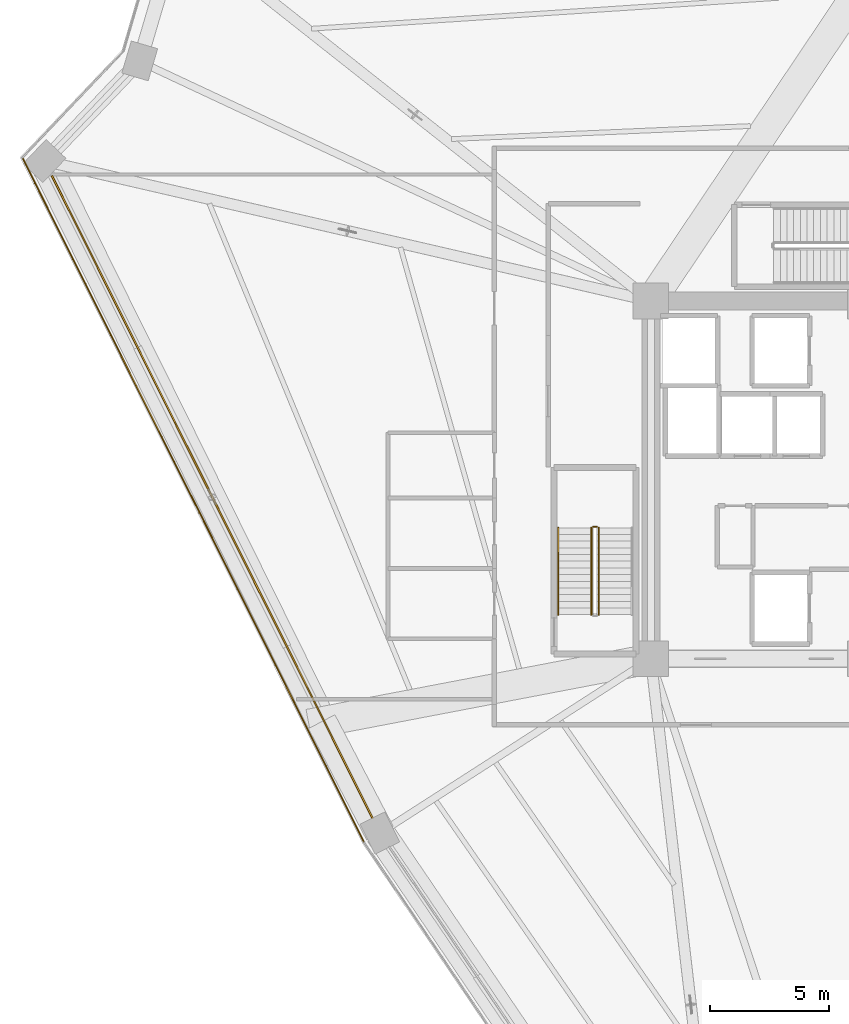
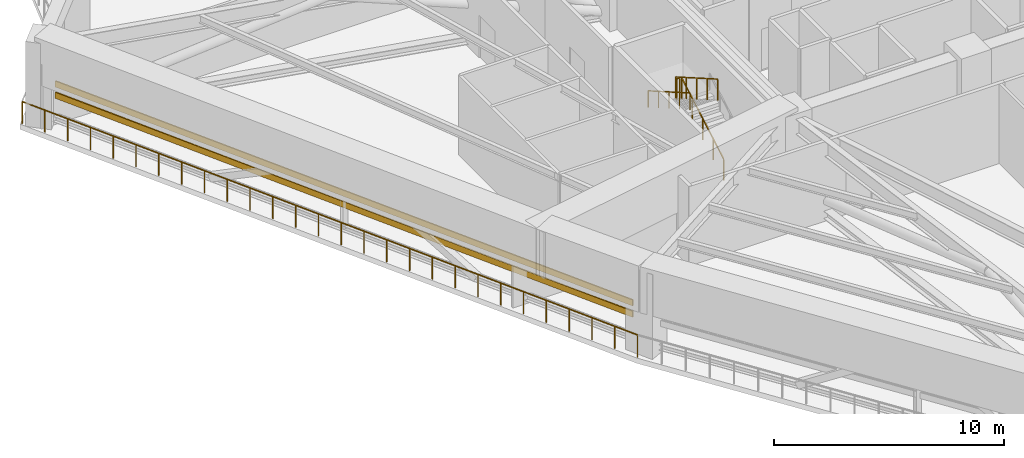
# One storey, part 23 of 27: 5 railings, 2 shading devices.
"""IFC4 building model written with IfcOpenShell, lengths in metres."""

from ifc_helpers import new_model, si_unit, direction, frame, origin, origin_2d, place, context, subcontext, project, spatial, rectangle, extrude, source, transform, mapped, material, material_profile, profile_set, type_object, element, save


model = new_model("IFC4")

# Units and contexts
model_context = context("Model", 3, precision=1e-05, world=origin(), true_north=direction((0.0, 1.0)))
body_context = subcontext(model_context, "Body", "Model", "MODEL_VIEW")
ifc_project = project(units=[si_unit("LENGTHUNIT", "METRE"), si_unit("AREAUNIT", "SQUARE_METRE"), si_unit("VOLUMEUNIT", "CUBIC_METRE"), si_unit("PLANEANGLEUNIT", "RADIAN"), si_unit("MASSUNIT", "GRAM", prefix="KILO")], contexts=[model_context])

# Site, building, storey
site_placement = place(None, origin())
site = spatial("IfcSite", under=ifc_project, at=site_placement, CompositionType="ELEMENT")
building_placement = place(site_placement, origin())
building = spatial("IfcBuilding", under=site, at=building_placement, Name="Liaohun Quay Tower", CompositionType="ELEMENT")
storey_placement = place(building_placement, frame((0.0, 0.0, 185.25)))
storey = spatial("IfcBuildingStorey", under=building, at=storey_placement, Name="L48", CompositionType="ELEMENT", Elevation=185.25)

# Railings
ifc_material_1 = material(Name="Galvanised and powder-coated steel", Category="steel")
railing_type_1 = type_object("IfcRailingType", Name="RLG-GUARD-EXT", PredefinedType="GUARDRAIL", material=ifc_material_1)
railing_1_placement = place(storey_placement, frame((38.97607421875, 38.803955078125, 0.0)))
element("IfcRailing", 1, at=railing_1_placement, inside=storey, type_object=railing_type_1, Name="L48 Open Refuge Band Perimeter Guardrail 02", PredefinedType="GUARDRAIL", context=body_context, shape_type="SweptSolid", body=[
    extrude(rectangle(XDim=0.048095703125, YDim=0.048095703125, at=origin_2d()), frame((0.0, 0.0, 1.17578125), z_axis=(-0.446543806641, 0.894761772066, 0.0), x_axis=(-0.894761772066, -0.446543806641, 0.0)), (0.0, 0.0, 1.0), 32.082275390625),
    extrude(rectangle(XDim=0.0419921875, YDim=0.0419921875, at=origin_2d()), origin(), (0.0, 0.0, 1.0), 1.15185546875),
    extrude(rectangle(XDim=0.0419921875, YDim=0.0419921875, at=origin_2d()), frame((-0.530517578125, 1.063232421875, 0.0)), (0.0, 0.0, 1.0), 1.15185546875),
    extrude(rectangle(XDim=0.0419921875, YDim=0.0419921875, at=origin_2d()), frame((-1.061279296875, 2.12646484375, 0.0)), (0.0, 0.0, 1.0), 1.15185546875),
    extrude(rectangle(XDim=0.0419921875, YDim=0.0419921875, at=origin_2d()), frame((-1.591796875, 3.189453125, 0.0)), (0.0, 0.0, 1.0), 1.15185546875),
    extrude(rectangle(XDim=0.0419921875, YDim=0.0419921875, at=origin_2d()), frame((-2.122314453125, 4.252685546875, 0.0)), (0.0, 0.0, 1.0), 1.15185546875),
    extrude(rectangle(XDim=0.0419921875, YDim=0.0419921875, at=origin_2d()), frame((-2.653076171875, 5.31591796875, 0.0)), (0.0, 0.0, 1.0), 1.15185546875),
    extrude(rectangle(XDim=0.0419921875, YDim=0.0419921875, at=origin_2d()), frame((-3.18359375, 6.379150390625, 0.0)), (0.0, 0.0, 1.0), 1.15185546875),
    extrude(rectangle(XDim=0.0419921875, YDim=0.0419921875, at=origin_2d()), frame((-3.714111328125, 7.4423828125, 0.0)), (0.0, 0.0, 1.0), 1.15185546875),
    extrude(rectangle(XDim=0.0419921875, YDim=0.0419921875, at=origin_2d()), frame((-4.244873046875, 8.505615234375, 0.0)), (0.0, 0.0, 1.0), 1.15185546875),
    extrude(rectangle(XDim=0.0419921875, YDim=0.0419921875, at=origin_2d()), frame((-4.775390625, 9.568603515625, 0.0)), (0.0, 0.0, 1.0), 1.15185546875),
    extrude(rectangle(XDim=0.0419921875, YDim=0.0419921875, at=origin_2d()), frame((-5.305908203125, 10.6318359375, 0.0)), (0.0, 0.0, 1.0), 1.15185546875),
    extrude(rectangle(XDim=0.0419921875, YDim=0.0419921875, at=origin_2d()), frame((-5.836669921875, 11.695068359375, 0.0)), (0.0, 0.0, 1.0), 1.15185546875),
    extrude(rectangle(XDim=0.0419921875, YDim=0.0419921875, at=origin_2d()), frame((-6.3671875, 12.75830078125, 0.0)), (0.0, 0.0, 1.0), 1.15185546875),
    extrude(rectangle(XDim=0.0419921875, YDim=0.0419921875, at=origin_2d()), frame((-6.897705078125, 13.821533203125, 0.0)), (0.0, 0.0, 1.0), 1.15185546875),
    extrude(rectangle(XDim=0.0419921875, YDim=0.0419921875, at=origin_2d()), frame((-7.428466796875, 14.884521484375, 0.0)), (0.0, 0.0, 1.0), 1.15185546875),
    extrude(rectangle(XDim=0.0419921875, YDim=0.0419921875, at=origin_2d()), frame((-7.958984375, 15.94775390625, 0.0)), (0.0, 0.0, 1.0), 1.15185546875),
    extrude(rectangle(XDim=0.0419921875, YDim=0.0419921875, at=origin_2d()), frame((-8.489501953125, 17.010986328125, 0.0)), (0.0, 0.0, 1.0), 1.15185546875),
    extrude(rectangle(XDim=0.0419921875, YDim=0.0419921875, at=origin_2d()), frame((-9.020263671875, 18.07421875, 0.0)), (0.0, 0.0, 1.0), 1.15185546875),
    extrude(rectangle(XDim=0.0419921875, YDim=0.0419921875, at=origin_2d()), frame((-9.55078125, 19.137451171875, 0.0)), (0.0, 0.0, 1.0), 1.15185546875),
    extrude(rectangle(XDim=0.0419921875, YDim=0.0419921875, at=origin_2d()), frame((-10.081298828125, 20.200439453125, 0.0)), (0.0, 0.0, 1.0), 1.15185546875),
    extrude(rectangle(XDim=0.0419921875, YDim=0.0419921875, at=origin_2d()), frame((-10.612060546875, 21.263671875, 0.0)), (0.0, 0.0, 1.0), 1.15185546875),
    extrude(rectangle(XDim=0.0419921875, YDim=0.0419921875, at=origin_2d()), frame((-11.142578125, 22.326904296875, 0.0)), (0.0, 0.0, 1.0), 1.15185546875),
    extrude(rectangle(XDim=0.0419921875, YDim=0.0419921875, at=origin_2d()), frame((-11.673095703125, 23.39013671875, 0.0)), (0.0, 0.0, 1.0), 1.15185546875),
    extrude(rectangle(XDim=0.0419921875, YDim=0.0419921875, at=origin_2d()), frame((-12.203857421875, 24.453369140625, 0.0)), (0.0, 0.0, 1.0), 1.15185546875),
    extrude(rectangle(XDim=0.0419921875, YDim=0.0419921875, at=origin_2d()), frame((-12.734375, 25.5166015625, 0.0)), (0.0, 0.0, 1.0), 1.15185546875),
    extrude(rectangle(XDim=0.0419921875, YDim=0.0419921875, at=origin_2d()), frame((-13.264892578125, 26.57958984375, 0.0)), (0.0, 0.0, 1.0), 1.15185546875),
    extrude(rectangle(XDim=0.0419921875, YDim=0.0419921875, at=origin_2d()), frame((-13.795654296875, 27.642822265625, 0.0)), (0.0, 0.0, 1.0), 1.15185546875),
    extrude(rectangle(XDim=0.0419921875, YDim=0.0419921875, at=origin_2d()), frame((-14.326171875, 28.7060546875, 0.0)), (0.0, 0.0, 1.0), 1.15185546875),
])
ifc_material_2 = material(Name="Painted tubular steel", Category="steel")
railing_type_2 = type_object("IfcRailingType", Name="RLG-GUARD-STR", PredefinedType="GUARDRAIL", material=ifc_material_2)
railing_2_placement = place(storey_placement, frame((48.81005859375, 48.35009765625, 0.16064453125)))
element("IfcRailing", 2, at=railing_2_placement, inside=storey, type_object=railing_type_2, Name="L48 ST-1 stair guard 1", PredefinedType="GUARDRAIL", context=body_context, shape_type="SweptSolid", body=[
    extrude(rectangle(XDim=0.048095703125, YDim=0.048095703125, at=origin_2d()), frame((0.0, 0.0, 1.1259765625), z_axis=(0.0, 0.8672749571, 0.497829437445), x_axis=(-1.0, 0.0, 0.0)), (0.0, 0.0, 1.0), 4.197021484375),
    extrude(rectangle(XDim=0.0419921875, YDim=0.0419921875, at=origin_2d()), origin(), (0.0, 0.0, 1.0), 1.101806640625),
    extrude(rectangle(XDim=0.0419921875, YDim=0.0419921875, at=origin_2d()), frame((0.0, 0.909912109375, 0.5224609375)), (0.0, 0.0, 1.0), 1.101806640625),
    extrude(rectangle(XDim=0.0419921875, YDim=0.0419921875, at=origin_2d()), frame((0.0, 1.81982421875, 1.044677734375)), (0.0, 0.0, 1.0), 1.101806640625),
    extrude(rectangle(XDim=0.0419921875, YDim=0.0419921875, at=origin_2d()), frame((0.0, 2.72998046875, 1.56689453125)), (0.0, 0.0, 1.0), 1.101806640625),
    extrude(rectangle(XDim=0.0419921875, YDim=0.0419921875, at=origin_2d()), frame((0.0, 3.639892578125, 2.08935546875)), (0.0, 0.0, 1.0), 1.101806640625),
])
railing_3_placement = place(storey_placement, frame((48.72998046875, 52.0400390625, 2.25)))
element("IfcRailing", 3, at=railing_3_placement, inside=storey, type_object=railing_type_2, Name="L48 ST-1 stair guard 2", PredefinedType="GUARDRAIL", context=body_context, shape_type="SweptSolid", body=[
    extrude(rectangle(XDim=0.048095703125, YDim=0.048095703125, at=origin_2d()), frame((0.0, 0.0, 1.1259765625), z_axis=(-1.0, 0.0, 0.0), x_axis=(0.0, -1.0, 0.0)), (0.0, 0.0, 1.0), 0.139892578125),
    extrude(rectangle(XDim=0.0419921875, YDim=0.0419921875, at=origin_2d()), origin(), (0.0, 0.0, 1.0), 1.101806640625),
    extrude(rectangle(XDim=0.0419921875, YDim=0.0419921875, at=origin_2d()), frame((-0.139892578125, 0.0, 0.0)), (0.0, 0.0, 1.0), 1.101806640625),
])
railing_4_placement = place(storey_placement, frame((48.510009765625, 51.989990234375, 2.41064453125)))
element("IfcRailing", 4, at=railing_4_placement, inside=storey, type_object=railing_type_2, Name="L48 ST-1 stair guard 3", PredefinedType="GUARDRAIL", context=body_context, shape_type="SweptSolid", body=[
    extrude(rectangle(XDim=0.048095703125, YDim=0.048095703125, at=origin_2d()), frame((0.0, 0.0, 1.1259765625), z_axis=(0.0, -0.8672749571, 0.497829437445), x_axis=(1.0, 0.0, 0.0)), (0.0, 0.0, 1.0), 4.197021484375),
    extrude(rectangle(XDim=0.0419921875, YDim=0.0419921875, at=origin_2d()), origin(), (0.0, 0.0, 1.0), 1.101806640625),
    extrude(rectangle(XDim=0.0419921875, YDim=0.0419921875, at=origin_2d()), frame((0.0, -0.909912109375, 0.5224609375)), (0.0, 0.0, 1.0), 1.101806640625),
    extrude(rectangle(XDim=0.0419921875, YDim=0.0419921875, at=origin_2d()), frame((0.0, -1.81982421875, 1.044677734375)), (0.0, 0.0, 1.0), 1.101806640625),
    extrude(rectangle(XDim=0.0419921875, YDim=0.0419921875, at=origin_2d()), frame((0.0, -2.72998046875, 1.56689453125)), (0.0, 0.0, 1.0), 1.101806640625),
    extrude(rectangle(XDim=0.0419921875, YDim=0.0419921875, at=origin_2d()), frame((0.0, -3.639892578125, 2.08935546875)), (0.0, 0.0, 1.0), 1.101806640625),
])
ifc_material_3 = material(Name="Brushed stainless steel", Category="steel")
railing_type_3 = type_object("IfcRailingType", Name="RLG-HND-STR", PredefinedType="HANDRAIL", material=ifc_material_3)
railing_5_placement = place(storey_placement, frame((47.1201171875, 51.989990234375, 2.41064453125)))
element("IfcRailing", 5, at=railing_5_placement, inside=storey, type_object=railing_type_3, Name="L48 ST-1 stair handrail 2", PredefinedType="HANDRAIL", context=body_context, shape_type="SweptSolid", body=[
    extrude(rectangle(XDim=0.048095703125, YDim=0.048095703125, at=origin_2d()), frame((0.0, 0.0, 0.8759765625), z_axis=(0.0, -0.8672749571, 0.497829437445), x_axis=(1.0, 0.0, 0.0)), (0.0, 0.0, 1.0), 4.197021484375),
    extrude(rectangle(XDim=0.0419921875, YDim=0.0419921875, at=origin_2d()), origin(), (0.0, 0.0, 1.0), 0.851806640625),
    extrude(rectangle(XDim=0.0419921875, YDim=0.0419921875, at=origin_2d()), frame((0.0, -0.909912109375, 0.5224609375)), (0.0, 0.0, 1.0), 0.851806640625),
    extrude(rectangle(XDim=0.0419921875, YDim=0.0419921875, at=origin_2d()), frame((0.0, -1.81982421875, 1.044677734375)), (0.0, 0.0, 1.0), 0.851806640625),
    extrude(rectangle(XDim=0.0419921875, YDim=0.0419921875, at=origin_2d()), frame((0.0, -2.72998046875, 1.56689453125)), (0.0, 0.0, 1.0), 0.851806640625),
    extrude(rectangle(XDim=0.0419921875, YDim=0.0419921875, at=origin_2d()), frame((0.0, -3.639892578125, 2.08935546875)), (0.0, 0.0, 1.0), 0.851806640625),
])

# Shading devices
ifc_material_4 = material(Name="Fluorocarbon-coated aluminium", Category="aluminium")
ifc_material_profile = material_profile(ifc_material_4, rectangle(XDim=0.06494140625, YDim=0.320068359375, at=origin_2d()), Name="ALU-LVR-320x65")
ifc_profile_set = profile_set([ifc_material_profile], Name="Fluorocarbon-coated aluminium")
shading_device_type = type_object("IfcShadingDeviceType", Name="SHD-LVR-REF", PredefinedType="USERDEFINED", material=ifc_profile_set)
shared_shape = source(origin(), body_context, "Body", "SweptSolid", [
    extrude(rectangle(XDim=0.06494140625, YDim=0.320068359375, at=origin_2d()), origin(), (0.0, 0.0, 1.0), 30.11181640625),
])
for number, where, z_axis, x_axis, name in (
    (6, (39.333984375, 39.81005859375, 1.550048828125), (-0.446538896614, 0.894764222469, 0.0), (-0.894764222469, -0.446538896614, 0.0), "L48 Refuge Plant Acoustic Louvre Blade LV-1-03"),
    (7, (39.333984375, 39.81005859375, 2.14990234375), (-0.446538896614, 0.894764222469, 0.0), (-0.894764222469, -0.446538896614, 0.0), "L48 Refuge Plant Acoustic Louvre Blade LV-1-04"),
):
    element("IfcShadingDevice", number, at=place(storey_placement, frame(where, z_axis=z_axis, x_axis=x_axis)), inside=storey, type_object=shading_device_type, Name=name, ObjectType="LOUVRE", PredefinedType="USERDEFINED", context=body_context, shape_type="MappedRepresentation", body=[
        mapped(shared_shape, transform((0.0, 0.0, 0.0), x_axis=(1.0, 0.0, 0.0), y_axis=(0.0, 1.0, 0.0), z_axis=(0.0, 0.0, 1.0), scale=1.0)),
    ])

save(model, "model.ifc")
